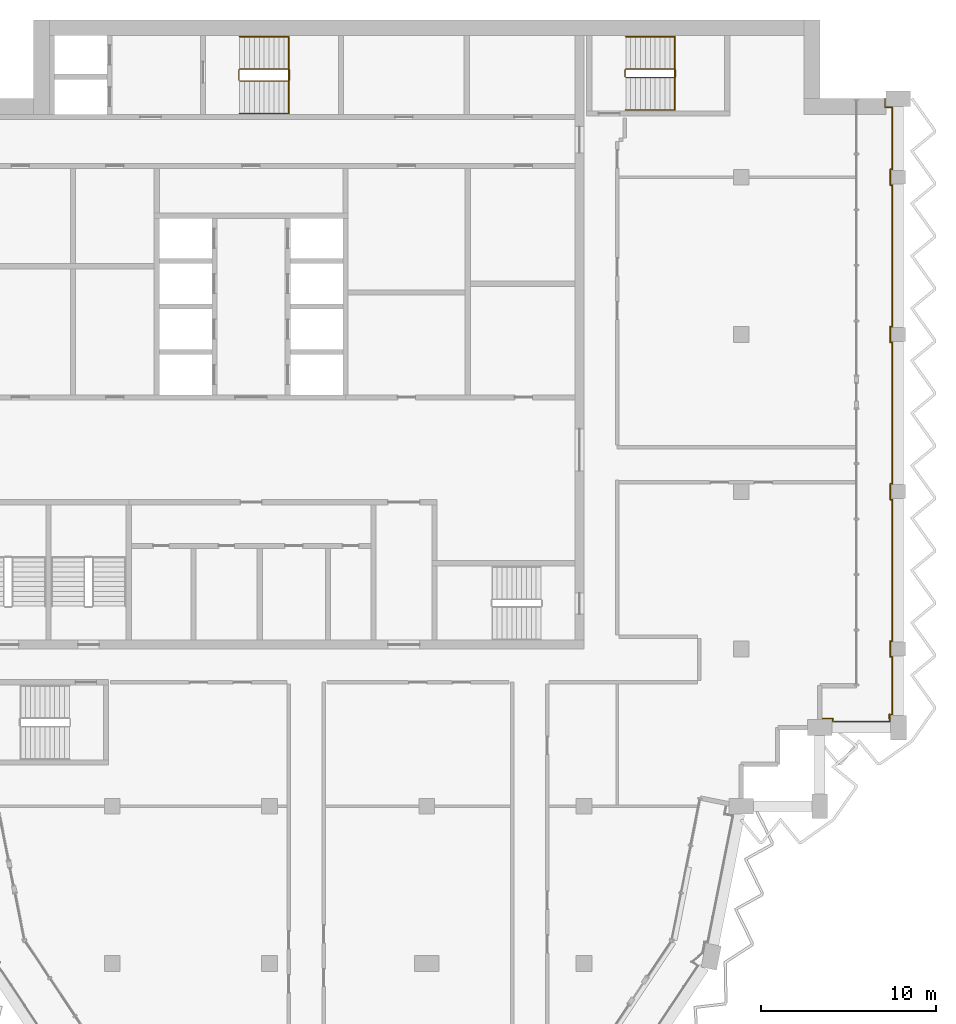
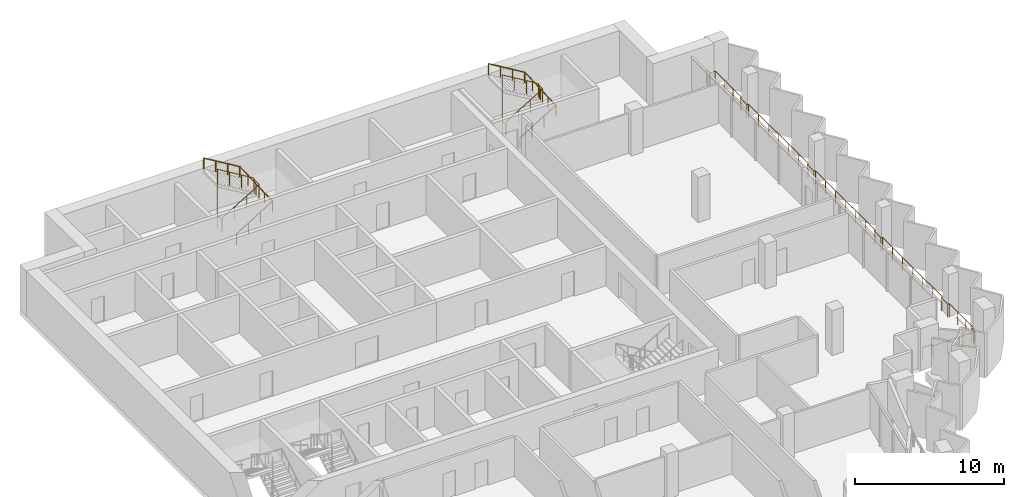
# One storey, part 13 of 13: 5 railings.
"""IFC4 building model written with IfcOpenShell, lengths in metres."""

from ifc_helpers import new_model, si_unit, direction, frame, origin, origin_2d, place, context, subcontext, project, spatial, circle, extrude, material, type_object, element, save


model = new_model("IFC4")

# Units and contexts
model_context = context("Model", 3, precision=1e-05, world=origin(), true_north=direction((0.0, 1.0)))
body_context = subcontext(model_context, "Body", "Model", "MODEL_VIEW")
ifc_project = project(units=[si_unit("LENGTHUNIT", "METRE"), si_unit("AREAUNIT", "SQUARE_METRE"), si_unit("VOLUMEUNIT", "CUBIC_METRE"), si_unit("PLANEANGLEUNIT", "RADIAN"), si_unit("MASSUNIT", "GRAM", prefix="KILO")], contexts=[model_context])

# Site, building, storey
site_placement = place(None, origin())
site = spatial("IfcSite", under=ifc_project, at=site_placement, CompositionType="ELEMENT")
building_placement = place(site_placement, origin())
building = spatial("IfcBuilding", under=site, at=building_placement, Name="Hunhe Ridgeline Campus", CompositionType="ELEMENT")
storey_placement = place(building_placement, frame((0.0, 0.0, 299.300048828125)))
storey = spatial("IfcBuildingStorey", under=building, at=storey_placement, Name="L77", CompositionType="ELEMENT", Elevation=299.300048828125)

# Railings
ifc_material_1 = material(Name="Steel Q355", Category="steel")
railing_type_1 = type_object("IfcRailingType", Name="Loggia guard 1100 Steel Q355", PredefinedType="GUARDRAIL", material=ifc_material_1)
railing_1_placement = place(storey_placement, frame((49.5, 59.02001953125, 0.0)))
element("IfcRailing", 1, at=railing_1_placement, inside=storey, type_object=railing_type_1, Name="Loggia guard 2", PredefinedType="GUARDRAIL", context=body_context, shape_type="SweptSolid", body=[
    extrude(circle(Radius=0.02392578125, at=origin_2d()), frame((0.0, 0.0, 1.076171875), z_axis=(1.0, 0.0, 0.0), x_axis=(0.0, 1.0, 0.0)), (0.0, 0.0, 1.0), 0.75),
    extrude(circle(Radius=0.02392578125, at=origin_2d()), frame((0.75, 0.0, 1.076171875), z_axis=(0.0, -1.0, 0.0), x_axis=(1.0, 0.0, 0.0)), (0.0, 0.0, 1.0), 0.169921875),
    extrude(circle(Radius=0.02392578125, at=origin_2d()), frame((0.75, -0.169921875, 1.076171875), z_axis=(1.0, 0.0, 0.0), x_axis=(0.0, 1.0, 0.0)), (0.0, 0.0, 1.0), 3.25),
    extrude(circle(Radius=0.02392578125, at=origin_2d()), frame((4.0, -0.169921875, 1.076171875), z_axis=(0.0, 1.0, 0.0), x_axis=(-1.0, 0.0, 0.0)), (0.0, 0.0, 1.0), 0.419921875),
    extrude(circle(Radius=0.02392578125, at=origin_2d()), frame((4.0, 0.25, 1.076171875), z_axis=(-0.079822602517, -0.996809085095, 0.0), x_axis=(0.996809085095, -0.079822602517, 0.0)), (0.0, 0.0, 1.0), 0.250732421875),
    extrude(circle(Radius=0.02392578125, at=origin_2d()), frame((3.97998046875, 0.0, 1.076171875), z_axis=(0.0, 1.0, 0.0), x_axis=(-1.0, 0.0, 0.0)), (0.0, 0.0, 1.0), 0.22998046875),
    extrude(circle(Radius=0.02392578125, at=origin_2d()), frame((3.97998046875, 0.22998046875, 1.076171875), z_axis=(1.0, 0.0, 0.0), x_axis=(0.0, 1.0, 0.0)), (0.0, 0.0, 1.0), 0.169921875),
    extrude(circle(Radius=0.02392578125, at=origin_2d()), frame((4.14990234375, 0.22998046875, 1.076171875), z_axis=(0.0, 1.0, 0.0), x_axis=(-1.0, 0.0, 0.0)), (0.0, 0.0, 1.0), 3.300048828125),
    extrude(circle(Radius=0.02392578125, at=origin_2d()), frame((4.14990234375, 3.530029296875, 1.076171875), z_axis=(-1.0, 0.0, 0.0), x_axis=(0.0, -1.0, 0.0)), (0.0, 0.0, 1.0), 0.119873046875),
    extrude(circle(Radius=0.02392578125, at=origin_2d()), frame((4.030029296875, 3.530029296875, 1.076171875), z_axis=(0.0, 1.0, 0.0), x_axis=(-1.0, 0.0, 0.0)), (0.0, 0.0, 1.0), 0.89990234375),
    extrude(circle(Radius=0.02392578125, at=origin_2d()), frame((4.030029296875, 4.429931640625, 1.076171875), z_axis=(1.0, 0.0, 0.0), x_axis=(0.0, 1.0, 0.0)), (0.0, 0.0, 1.0), 0.119873046875),
    extrude(circle(Radius=0.02392578125, at=origin_2d()), frame((4.14990234375, 4.429931640625, 1.076171875), z_axis=(0.0, 1.0, 0.0), x_axis=(-1.0, 0.0, 0.0)), (0.0, 0.0, 1.0), 8.10009765625),
    extrude(circle(Radius=0.02392578125, at=origin_2d()), frame((4.14990234375, 12.530029296875, 1.076171875), z_axis=(-1.0, 0.0, 0.0), x_axis=(0.0, -1.0, 0.0)), (0.0, 0.0, 1.0), 0.119873046875),
    extrude(circle(Radius=0.02392578125, at=origin_2d()), frame((4.030029296875, 12.530029296875, 1.076171875), z_axis=(0.0, 1.0, 0.0), x_axis=(-1.0, 0.0, 0.0)), (0.0, 0.0, 1.0), 0.89990234375),
    extrude(circle(Radius=0.02392578125, at=origin_2d()), frame((4.030029296875, 13.429931640625, 1.076171875), z_axis=(1.0, 0.0, 0.0), x_axis=(0.0, 1.0, 0.0)), (0.0, 0.0, 1.0), 0.119873046875),
    extrude(circle(Radius=0.02392578125, at=origin_2d()), frame((4.14990234375, 13.429931640625, 1.076171875), z_axis=(0.0, 1.0, 0.0), x_axis=(-1.0, 0.0, 0.0)), (0.0, 0.0, 1.0), 8.10009765625),
    extrude(circle(Radius=0.02392578125, at=origin_2d()), frame((4.14990234375, 21.530029296875, 1.076171875), z_axis=(-1.0, 0.0, 0.0), x_axis=(0.0, -1.0, 0.0)), (0.0, 0.0, 1.0), 0.119873046875),
    extrude(circle(Radius=0.02392578125, at=origin_2d()), frame((4.030029296875, 21.530029296875, 1.076171875), z_axis=(0.0, 1.0, 0.0), x_axis=(-1.0, 0.0, 0.0)), (0.0, 0.0, 1.0), 0.89990234375),
    extrude(circle(Radius=0.02392578125, at=origin_2d()), frame((4.030029296875, 22.429931640625, 1.076171875), z_axis=(1.0, 0.0, 0.0), x_axis=(0.0, 1.0, 0.0)), (0.0, 0.0, 1.0), 0.119873046875),
    extrude(circle(Radius=0.02392578125, at=origin_2d()), frame((4.14990234375, 22.429931640625, 1.076171875), z_axis=(0.0, 1.0, 0.0), x_axis=(-1.0, 0.0, 0.0)), (0.0, 0.0, 1.0), 8.10009765625),
    extrude(circle(Radius=0.02392578125, at=origin_2d()), frame((4.14990234375, 30.530029296875, 1.076171875), z_axis=(-1.0, 0.0, 0.0), x_axis=(0.0, -1.0, 0.0)), (0.0, 0.0, 1.0), 0.119873046875),
    extrude(circle(Radius=0.02392578125, at=origin_2d()), frame((4.030029296875, 30.530029296875, 1.076171875), z_axis=(0.0, 1.0, 0.0), x_axis=(-1.0, 0.0, 0.0)), (0.0, 0.0, 1.0), 0.89990234375),
    extrude(circle(Radius=0.02392578125, at=origin_2d()), frame((4.030029296875, 31.429931640625, 1.076171875), z_axis=(1.0, 0.0, 0.0), x_axis=(0.0, 1.0, 0.0)), (0.0, 0.0, 1.0), 0.119873046875),
    extrude(circle(Radius=0.02392578125, at=origin_2d()), frame((4.14990234375, 31.429931640625, 1.076171875), z_axis=(0.0, 1.0, 0.0), x_axis=(-1.0, 0.0, 0.0)), (0.0, 0.0, 1.0), 3.550048828125),
    extrude(circle(Radius=0.02392578125, at=origin_2d()), frame((4.14990234375, 34.97998046875, 1.076171875), z_axis=(-1.0, 0.0, 0.0), x_axis=(0.0, -1.0, 0.0)), (0.0, 0.0, 1.0), 0.419921875),
    extrude(circle(Radius=0.02392578125, at=origin_2d()), frame((3.72998046875, 34.97998046875, 1.076171875), z_axis=(0.0, 1.0, 0.0), x_axis=(-1.0, 0.0, 0.0)), (0.0, 0.0, 1.0), 0.5),
    extrude(circle(Radius=0.02099609375, at=origin_2d()), origin(), (0.0, 0.0, 1.0), 1.052001953125),
    extrude(circle(Radius=0.02099609375, at=origin_2d()), frame((0.75, 0.0, 0.0)), (0.0, 0.0, 1.0), 1.052001953125),
    extrude(circle(Radius=0.02099609375, at=origin_2d()), frame((0.75, -0.169921875, 0.0)), (0.0, 0.0, 1.0), 1.052001953125),
    extrude(circle(Radius=0.02099609375, at=origin_2d()), frame((1.833251953125, -0.169921875, 0.0)), (0.0, 0.0, 1.0), 1.052001953125),
    extrude(circle(Radius=0.02099609375, at=origin_2d()), frame((2.916748046875, -0.169921875, 0.0)), (0.0, 0.0, 1.0), 1.052001953125),
    extrude(circle(Radius=0.02099609375, at=origin_2d()), frame((4.0, -0.169921875, 0.0)), (0.0, 0.0, 1.0), 1.052001953125),
    extrude(circle(Radius=0.02099609375, at=origin_2d()), frame((4.0, 0.25, 0.0)), (0.0, 0.0, 1.0), 1.052001953125),
    extrude(circle(Radius=0.02099609375, at=origin_2d()), frame((3.97998046875, 0.0, 0.0)), (0.0, 0.0, 1.0), 1.052001953125),
    extrude(circle(Radius=0.02099609375, at=origin_2d()), frame((3.97998046875, 0.22998046875, 0.0)), (0.0, 0.0, 1.0), 1.052001953125),
    extrude(circle(Radius=0.02099609375, at=origin_2d()), frame((4.14990234375, 0.22998046875, 0.0)), (0.0, 0.0, 1.0), 1.052001953125),
    extrude(circle(Radius=0.02099609375, at=origin_2d()), frame((4.14990234375, 1.330078125, 0.0)), (0.0, 0.0, 1.0), 1.052001953125),
    extrude(circle(Radius=0.02099609375, at=origin_2d()), frame((4.14990234375, 2.429931640625, 0.0)), (0.0, 0.0, 1.0), 1.052001953125),
    extrude(circle(Radius=0.02099609375, at=origin_2d()), frame((4.14990234375, 3.530029296875, 0.0)), (0.0, 0.0, 1.0), 1.052001953125),
    extrude(circle(Radius=0.02099609375, at=origin_2d()), frame((4.030029296875, 3.530029296875, 0.0)), (0.0, 0.0, 1.0), 1.052001953125),
    extrude(circle(Radius=0.02099609375, at=origin_2d()), frame((4.030029296875, 4.429931640625, 0.0)), (0.0, 0.0, 1.0), 1.052001953125),
    extrude(circle(Radius=0.02099609375, at=origin_2d()), frame((4.14990234375, 4.429931640625, 0.0)), (0.0, 0.0, 1.0), 1.052001953125),
    extrude(circle(Radius=0.02099609375, at=origin_2d()), frame((4.14990234375, 5.780029296875, 0.0)), (0.0, 0.0, 1.0), 1.052001953125),
    extrude(circle(Radius=0.02099609375, at=origin_2d()), frame((4.14990234375, 7.1298828125, 0.0)), (0.0, 0.0, 1.0), 1.052001953125),
    extrude(circle(Radius=0.02099609375, at=origin_2d()), frame((4.14990234375, 8.47998046875, 0.0)), (0.0, 0.0, 1.0), 1.052001953125),
    extrude(circle(Radius=0.02099609375, at=origin_2d()), frame((4.14990234375, 9.830078125, 0.0)), (0.0, 0.0, 1.0), 1.052001953125),
    extrude(circle(Radius=0.02099609375, at=origin_2d()), frame((4.14990234375, 11.179931640625, 0.0)), (0.0, 0.0, 1.0), 1.052001953125),
    extrude(circle(Radius=0.02099609375, at=origin_2d()), frame((4.14990234375, 12.530029296875, 0.0)), (0.0, 0.0, 1.0), 1.052001953125),
    extrude(circle(Radius=0.02099609375, at=origin_2d()), frame((4.030029296875, 12.530029296875, 0.0)), (0.0, 0.0, 1.0), 1.052001953125),
    extrude(circle(Radius=0.02099609375, at=origin_2d()), frame((4.030029296875, 13.429931640625, 0.0)), (0.0, 0.0, 1.0), 1.052001953125),
    extrude(circle(Radius=0.02099609375, at=origin_2d()), frame((4.14990234375, 13.429931640625, 0.0)), (0.0, 0.0, 1.0), 1.052001953125),
    extrude(circle(Radius=0.02099609375, at=origin_2d()), frame((4.14990234375, 14.780029296875, 0.0)), (0.0, 0.0, 1.0), 1.052001953125),
    extrude(circle(Radius=0.02099609375, at=origin_2d()), frame((4.14990234375, 16.1298828125, 0.0)), (0.0, 0.0, 1.0), 1.052001953125),
    extrude(circle(Radius=0.02099609375, at=origin_2d()), frame((4.14990234375, 17.47998046875, 0.0)), (0.0, 0.0, 1.0), 1.052001953125),
    extrude(circle(Radius=0.02099609375, at=origin_2d()), frame((4.14990234375, 18.830078125, 0.0)), (0.0, 0.0, 1.0), 1.052001953125),
    extrude(circle(Radius=0.02099609375, at=origin_2d()), frame((4.14990234375, 20.179931640625, 0.0)), (0.0, 0.0, 1.0), 1.052001953125),
    extrude(circle(Radius=0.02099609375, at=origin_2d()), frame((4.14990234375, 21.530029296875, 0.0)), (0.0, 0.0, 1.0), 1.052001953125),
    extrude(circle(Radius=0.02099609375, at=origin_2d()), frame((4.030029296875, 21.530029296875, 0.0)), (0.0, 0.0, 1.0), 1.052001953125),
    extrude(circle(Radius=0.02099609375, at=origin_2d()), frame((4.030029296875, 22.429931640625, 0.0)), (0.0, 0.0, 1.0), 1.052001953125),
    extrude(circle(Radius=0.02099609375, at=origin_2d()), frame((4.14990234375, 22.429931640625, 0.0)), (0.0, 0.0, 1.0), 1.052001953125),
    extrude(circle(Radius=0.02099609375, at=origin_2d()), frame((4.14990234375, 23.780029296875, 0.0)), (0.0, 0.0, 1.0), 1.052001953125),
    extrude(circle(Radius=0.02099609375, at=origin_2d()), frame((4.14990234375, 25.1298828125, 0.0)), (0.0, 0.0, 1.0), 1.052001953125),
    extrude(circle(Radius=0.02099609375, at=origin_2d()), frame((4.14990234375, 26.47998046875, 0.0)), (0.0, 0.0, 1.0), 1.052001953125),
    extrude(circle(Radius=0.02099609375, at=origin_2d()), frame((4.14990234375, 27.830078125, 0.0)), (0.0, 0.0, 1.0), 1.052001953125),
    extrude(circle(Radius=0.02099609375, at=origin_2d()), frame((4.14990234375, 29.179931640625, 0.0)), (0.0, 0.0, 1.0), 1.052001953125),
    extrude(circle(Radius=0.02099609375, at=origin_2d()), frame((4.14990234375, 30.530029296875, 0.0)), (0.0, 0.0, 1.0), 1.052001953125),
    extrude(circle(Radius=0.02099609375, at=origin_2d()), frame((4.030029296875, 30.530029296875, 0.0)), (0.0, 0.0, 1.0), 1.052001953125),
    extrude(circle(Radius=0.02099609375, at=origin_2d()), frame((4.030029296875, 31.429931640625, 0.0)), (0.0, 0.0, 1.0), 1.052001953125),
    extrude(circle(Radius=0.02099609375, at=origin_2d()), frame((4.14990234375, 31.429931640625, 0.0)), (0.0, 0.0, 1.0), 1.052001953125),
    extrude(circle(Radius=0.02099609375, at=origin_2d()), frame((4.14990234375, 32.61328125, 0.0)), (0.0, 0.0, 1.0), 1.052001953125),
    extrude(circle(Radius=0.02099609375, at=origin_2d()), frame((4.14990234375, 33.796630859375, 0.0)), (0.0, 0.0, 1.0), 1.052001953125),
    extrude(circle(Radius=0.02099609375, at=origin_2d()), frame((4.14990234375, 34.97998046875, 0.0)), (0.0, 0.0, 1.0), 1.052001953125),
    extrude(circle(Radius=0.02099609375, at=origin_2d()), frame((3.72998046875, 34.97998046875, 0.0)), (0.0, 0.0, 1.0), 1.052001953125),
    extrude(circle(Radius=0.02099609375, at=origin_2d()), frame((3.72998046875, 35.47998046875, 0.0)), (0.0, 0.0, 1.0), 1.052001953125),
])
ifc_material_2 = material(Name="Stainless steel balustrade", Category="steel")
railing_type_2 = type_object("IfcRailingType", Name="Stair guard 1100 stainless", PredefinedType="GUARDRAIL", material=ifc_material_2)
railing_2_placement = place(storey_placement, frame((16.300048828125, 95.5, 0.168212890625)))
element("IfcRailing", 2, at=railing_2_placement, inside=storey, type_object=railing_type_2, Name="L77 stair S1 guard", PredefinedType="GUARDRAIL", context=body_context, shape_type="SweptSolid", body=[
    extrude(circle(Radius=0.02392578125, at=origin_2d()), frame((0.0, 0.0, 1.076171875), z_axis=(0.857275202839, 0.0, 0.514858452973), x_axis=(0.0, 1.0, 0.0)), (0.0, 0.0, 1.0), 3.26611328125),
    extrude(circle(Radius=0.02392578125, at=origin_2d()), frame((2.800048828125, 0.0, 2.7578125), z_axis=(0.705375805398, 0.708833529934, 0.0), x_axis=(-0.708833529934, 0.705375805398, 0.0)), (0.0, 0.0, 1.0), 0.070556640625),
    extrude(circle(Radius=0.02392578125, at=origin_2d()), frame((2.849853515625, 0.050048828125, 2.7578125), z_axis=(0.0, 1.0, 0.0), x_axis=(-1.0, 0.0, 0.0)), (0.0, 0.0, 1.0), 0.599853515625),
    extrude(circle(Radius=0.02392578125, at=origin_2d()), frame((2.849853515625, 0.64990234375, 2.7578125), z_axis=(-0.273006030465, 0.27434429532, 0.922064485248), x_axis=(-0.708833529934, -0.705375805398, 0.0)), (0.0, 0.0, 1.0), 0.182373046875),
    extrude(circle(Radius=0.02392578125, at=origin_2d()), frame((2.800048828125, 0.699951171875, 2.92578125), z_axis=(-0.857242210791, 0.0, 0.514913383045), x_axis=(0.0, -1.0, 0.0)), (0.0, 0.0, 1.0), 3.266357421875),
    extrude(circle(Radius=0.02392578125, at=origin_2d()), frame((0.0, 0.699951171875, 4.60791015625), z_axis=(-0.013524414389, -0.013524414389, -0.999817073484), x_axis=(0.707106781187, -0.707106781187, 0.0)), (0.0, 0.0, 1.0), 3.70068359375),
    extrude(circle(Radius=0.02392578125, at=origin_2d()), frame((-0.050048828125, 0.64990234375, 0.90771484375), z_axis=(0.0, -1.0, 0.0), x_axis=(1.0, 0.0, 0.0)), (0.0, 0.0, 1.0), 0.599853515625),
    extrude(circle(Radius=0.02099609375, at=origin_2d()), origin(), (0.0, 0.0, 1.0), 1.052001953125),
    extrude(circle(Radius=0.02099609375, at=origin_2d()), frame((0.933349609375, 0.0, 0.560546875)), (0.0, 0.0, 1.0), 1.052001953125),
    extrude(circle(Radius=0.02099609375, at=origin_2d()), frame((1.86669921875, 0.0, 1.12109375)), (0.0, 0.0, 1.0), 1.052001953125),
    extrude(circle(Radius=0.02099609375, at=origin_2d()), frame((2.800048828125, 0.0, 1.681640625)), (0.0, 0.0, 1.0), 1.052001953125),
    extrude(circle(Radius=0.02099609375, at=origin_2d()), frame((2.849853515625, 0.050048828125, 1.681640625)), (0.0, 0.0, 1.0), 1.052001953125),
    extrude(circle(Radius=0.02099609375, at=origin_2d()), frame((2.849853515625, 0.64990234375, 1.681640625)), (0.0, 0.0, 1.0), 1.052001953125),
    extrude(circle(Radius=0.02099609375, at=origin_2d()), frame((2.800048828125, 0.699951171875, 1.849853515625)), (0.0, 0.0, 1.0), 1.052001953125),
    extrude(circle(Radius=0.02099609375, at=origin_2d()), frame((1.86669921875, 0.699951171875, 2.410400390625)), (0.0, 0.0, 1.0), 1.052001953125),
    extrude(circle(Radius=0.02099609375, at=origin_2d()), frame((0.933349609375, 0.699951171875, 2.97119140625)), (0.0, 0.0, 1.0), 1.052001953125),
    extrude(circle(Radius=0.02099609375, at=origin_2d()), frame((0.0, 0.699951171875, 3.53173828125)), (0.0, 0.0, 1.0), 1.052001953125),
    extrude(circle(Radius=0.02099609375, at=origin_2d()), frame((-0.012451171875, 0.6875, 2.606689453125)), (0.0, 0.0, 1.0), 1.052001953125),
    extrude(circle(Radius=0.02099609375, at=origin_2d()), frame((-0.02490234375, 0.6748046875, 1.681640625)), (0.0, 0.0, 1.0), 1.052001953125),
    extrude(circle(Radius=0.02099609375, at=origin_2d()), frame((-0.03759765625, 0.662353515625, 0.7568359375)), (0.0, 0.0, 1.0), 1.052001953125),
    extrude(circle(Radius=0.02099609375, at=origin_2d()), frame((-0.050048828125, 0.64990234375, -0.168212890625)), (0.0, 0.0, 1.0), 1.052001953125),
    extrude(circle(Radius=0.02099609375, at=origin_2d()), frame((-0.050048828125, 0.050048828125, -0.168212890625)), (0.0, 0.0, 1.0), 1.052001953125),
])
railing_3_placement = place(storey_placement, frame((38.39990234375, 95.699951171875, 0.168212890625)))
element("IfcRailing", 3, at=railing_3_placement, inside=storey, type_object=railing_type_2, Name="L77 stair E1 guard", PredefinedType="GUARDRAIL", context=body_context, shape_type="SweptSolid", body=[
    extrude(circle(Radius=0.02392578125, at=origin_2d()), frame((0.0, 0.0, 1.076171875), z_axis=(0.857275202839, 0.0, 0.514858452973), x_axis=(0.0, 1.0, 0.0)), (0.0, 0.0, 1.0), 3.26611328125),
    extrude(circle(Radius=0.02392578125, at=origin_2d()), frame((2.800048828125, 0.0, 2.7578125), z_axis=(0.707106781187, 0.707106781187, 0.0), x_axis=(-0.707106781187, 0.707106781187, 0.0)), (0.0, 0.0, 1.0), 0.07080078125),
    extrude(circle(Radius=0.02392578125, at=origin_2d()), frame((2.85009765625, 0.050048828125, 2.7578125), z_axis=(0.0, 1.0, 0.0), x_axis=(-1.0, 0.0, 0.0)), (0.0, 0.0, 1.0), 0.39990234375),
    extrude(circle(Radius=0.02392578125, at=origin_2d()), frame((2.85009765625, 0.449951171875, 2.7578125), z_axis=(-0.274243871929, 0.274243871929, 0.92172696468), x_axis=(-0.707106781187, -0.707106781187, 0.0)), (0.0, 0.0, 1.0), 0.1826171875),
    extrude(circle(Radius=0.02392578125, at=origin_2d()), frame((2.800048828125, 0.5, 2.92578125), z_axis=(-0.857242210791, 0.0, 0.514913383045), x_axis=(0.0, -1.0, 0.0)), (0.0, 0.0, 1.0), 3.266357421875),
    extrude(circle(Radius=0.02392578125, at=origin_2d()), frame((0.0, 0.5, 4.60791015625), z_axis=(-0.013458453615, -0.013524426427, -0.999817963389), x_axis=(0.708833529934, -0.705375805398, 0.0)), (0.0, 0.0, 1.0), 3.70068359375),
    extrude(circle(Radius=0.02392578125, at=origin_2d()), frame((-0.0498046875, 0.449951171875, 0.90771484375), z_axis=(0.0, -1.0, 0.0), x_axis=(1.0, 0.0, 0.0)), (0.0, 0.0, 1.0), 0.39990234375),
    extrude(circle(Radius=0.02099609375, at=origin_2d()), origin(), (0.0, 0.0, 1.0), 1.052001953125),
    extrude(circle(Radius=0.02099609375, at=origin_2d()), frame((0.933349609375, 0.0, 0.560546875)), (0.0, 0.0, 1.0), 1.052001953125),
    extrude(circle(Radius=0.02099609375, at=origin_2d()), frame((1.86669921875, 0.0, 1.12109375)), (0.0, 0.0, 1.0), 1.052001953125),
    extrude(circle(Radius=0.02099609375, at=origin_2d()), frame((2.800048828125, 0.0, 1.681640625)), (0.0, 0.0, 1.0), 1.052001953125),
    extrude(circle(Radius=0.02099609375, at=origin_2d()), frame((2.85009765625, 0.050048828125, 1.681640625)), (0.0, 0.0, 1.0), 1.052001953125),
    extrude(circle(Radius=0.02099609375, at=origin_2d()), frame((2.85009765625, 0.449951171875, 1.681640625)), (0.0, 0.0, 1.0), 1.052001953125),
    extrude(circle(Radius=0.02099609375, at=origin_2d()), frame((2.800048828125, 0.5, 1.849853515625)), (0.0, 0.0, 1.0), 1.052001953125),
    extrude(circle(Radius=0.02099609375, at=origin_2d()), frame((1.86669921875, 0.5, 2.410400390625)), (0.0, 0.0, 1.0), 1.052001953125),
    extrude(circle(Radius=0.02099609375, at=origin_2d()), frame((0.933349609375, 0.5, 2.97119140625)), (0.0, 0.0, 1.0), 1.052001953125),
    extrude(circle(Radius=0.02099609375, at=origin_2d()), frame((0.0, 0.5, 3.53173828125)), (0.0, 0.0, 1.0), 1.052001953125),
    extrude(circle(Radius=0.02099609375, at=origin_2d()), frame((-0.012451171875, 0.487548828125, 2.606689453125)), (0.0, 0.0, 1.0), 1.052001953125),
    extrude(circle(Radius=0.02099609375, at=origin_2d()), frame((-0.02490234375, 0.47509765625, 1.681640625)), (0.0, 0.0, 1.0), 1.052001953125),
    extrude(circle(Radius=0.02099609375, at=origin_2d()), frame((-0.037353515625, 0.46240234375, 0.7568359375)), (0.0, 0.0, 1.0), 1.052001953125),
    extrude(circle(Radius=0.02099609375, at=origin_2d()), frame((-0.0498046875, 0.449951171875, -0.168212890625)), (0.0, 0.0, 1.0), 1.052001953125),
    extrude(circle(Radius=0.02099609375, at=origin_2d()), frame((-0.0498046875, 0.050048828125, -0.168212890625)), (0.0, 0.0, 1.0), 1.052001953125),
])
ifc_material_3 = material(Name="Stainless steel handrail", Category="steel")
railing_type_3 = type_object("IfcRailingType", Name="Stair handrail 900 stainless", PredefinedType="HANDRAIL", material=ifc_material_3)
railing_4_placement = place(storey_placement, frame((16.300048828125, 93.64990234375, 0.168212890625)))
element("IfcRailing", 4, at=railing_4_placement, inside=storey, type_object=railing_type_3, Name="L77 stair S1 handrail", PredefinedType="HANDRAIL", context=body_context, shape_type="SweptSolid", body=[
    extrude(circle(Radius=0.02392578125, at=origin_2d()), frame((0.0, 0.0, 0.8759765625), z_axis=(0.857275202839, 0.0, 0.514858452973), x_axis=(0.0, 1.0, 0.0)), (0.0, 0.0, 1.0), 3.26611328125),
    extrude(circle(Radius=0.02392578125, at=origin_2d()), frame((2.800048828125, 0.0, 2.5576171875), z_axis=(0.0, 0.999270074432, 0.038201025428), x_axis=(-1.0, 0.0, 0.0)), (0.0, 0.0, 1.0), 4.4033203125),
    extrude(circle(Radius=0.02392578125, at=origin_2d()), frame((2.800048828125, 4.400146484375, 2.7255859375), z_axis=(-0.857242210791, 0.0, 0.514913383045), x_axis=(0.0, -1.0, 0.0)), (0.0, 0.0, 1.0), 3.266357421875),
    extrude(circle(Radius=0.02099609375, at=origin_2d()), origin(), (0.0, 0.0, 1.0), 0.851806640625),
    extrude(circle(Radius=0.02099609375, at=origin_2d()), frame((0.933349609375, 0.0, 0.560546875)), (0.0, 0.0, 1.0), 0.851806640625),
    extrude(circle(Radius=0.02099609375, at=origin_2d()), frame((1.86669921875, 0.0, 1.12109375)), (0.0, 0.0, 1.0), 0.851806640625),
    extrude(circle(Radius=0.02099609375, at=origin_2d()), frame((2.800048828125, 0.0, 1.681640625)), (0.0, 0.0, 1.0), 0.851806640625),
    extrude(circle(Radius=0.02099609375, at=origin_2d()), frame((2.800048828125, 1.10009765625, 1.7236328125)), (0.0, 0.0, 1.0), 0.851806640625),
    extrude(circle(Radius=0.02099609375, at=origin_2d()), frame((2.800048828125, 2.2001953125, 1.765625)), (0.0, 0.0, 1.0), 0.851806640625),
    extrude(circle(Radius=0.02099609375, at=origin_2d()), frame((2.800048828125, 3.300048828125, 1.807861328125)), (0.0, 0.0, 1.0), 0.851806640625),
    extrude(circle(Radius=0.02099609375, at=origin_2d()), frame((2.800048828125, 4.400146484375, 1.849853515625)), (0.0, 0.0, 1.0), 0.851806640625),
    extrude(circle(Radius=0.02099609375, at=origin_2d()), frame((1.86669921875, 4.400146484375, 2.410400390625)), (0.0, 0.0, 1.0), 0.851806640625),
    extrude(circle(Radius=0.02099609375, at=origin_2d()), frame((0.933349609375, 4.400146484375, 2.97119140625)), (0.0, 0.0, 1.0), 0.851806640625),
    extrude(circle(Radius=0.02099609375, at=origin_2d()), frame((0.0, 4.400146484375, 3.53173828125)), (0.0, 0.0, 1.0), 0.851806640625),
])
railing_5_placement = place(storey_placement, frame((38.39990234375, 93.85009765625, 0.168212890625)))
element("IfcRailing", 5, at=railing_5_placement, inside=storey, type_object=railing_type_3, Name="L77 stair E1 handrail", PredefinedType="HANDRAIL", context=body_context, shape_type="SweptSolid", body=[
    extrude(circle(Radius=0.02392578125, at=origin_2d()), frame((0.0, 0.0, 0.8759765625), z_axis=(0.857275202839, 0.0, 0.514858452973), x_axis=(0.0, 1.0, 0.0)), (0.0, 0.0, 1.0), 3.26611328125),
    extrude(circle(Radius=0.02392578125, at=origin_2d()), frame((2.800048828125, 0.0, 2.5576171875), z_axis=(0.0, 0.999198916169, 0.040019069537), x_axis=(-1.0, 0.0, 0.0)), (0.0, 0.0, 1.0), 4.203369140625),
    extrude(circle(Radius=0.02392578125, at=origin_2d()), frame((2.800048828125, 4.199951171875, 2.7255859375), z_axis=(-0.857242210791, 0.0, 0.514913383045), x_axis=(0.0, -1.0, 0.0)), (0.0, 0.0, 1.0), 3.266357421875),
    extrude(circle(Radius=0.02099609375, at=origin_2d()), origin(), (0.0, 0.0, 1.0), 0.851806640625),
    extrude(circle(Radius=0.02099609375, at=origin_2d()), frame((0.933349609375, 0.0, 0.560546875)), (0.0, 0.0, 1.0), 0.851806640625),
    extrude(circle(Radius=0.02099609375, at=origin_2d()), frame((1.86669921875, 0.0, 1.12109375)), (0.0, 0.0, 1.0), 0.851806640625),
    extrude(circle(Radius=0.02099609375, at=origin_2d()), frame((2.800048828125, 0.0, 1.681640625)), (0.0, 0.0, 1.0), 0.851806640625),
    extrude(circle(Radius=0.02099609375, at=origin_2d()), frame((2.800048828125, 1.050048828125, 1.7236328125)), (0.0, 0.0, 1.0), 0.851806640625),
    extrude(circle(Radius=0.02099609375, at=origin_2d()), frame((2.800048828125, 2.10009765625, 1.765625)), (0.0, 0.0, 1.0), 0.851806640625),
    extrude(circle(Radius=0.02099609375, at=origin_2d()), frame((2.800048828125, 3.14990234375, 1.807861328125)), (0.0, 0.0, 1.0), 0.851806640625),
    extrude(circle(Radius=0.02099609375, at=origin_2d()), frame((2.800048828125, 4.199951171875, 1.849853515625)), (0.0, 0.0, 1.0), 0.851806640625),
    extrude(circle(Radius=0.02099609375, at=origin_2d()), frame((1.86669921875, 4.199951171875, 2.410400390625)), (0.0, 0.0, 1.0), 0.851806640625),
    extrude(circle(Radius=0.02099609375, at=origin_2d()), frame((0.933349609375, 4.199951171875, 2.97119140625)), (0.0, 0.0, 1.0), 0.851806640625),
    extrude(circle(Radius=0.02099609375, at=origin_2d()), frame((0.0, 4.199951171875, 3.53173828125)), (0.0, 0.0, 1.0), 0.851806640625),
])

save(model, "model.ifc")
